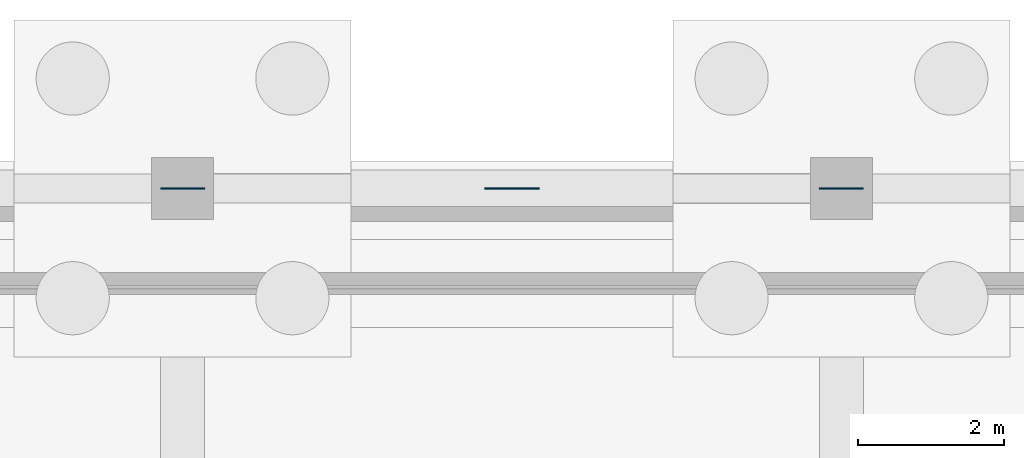
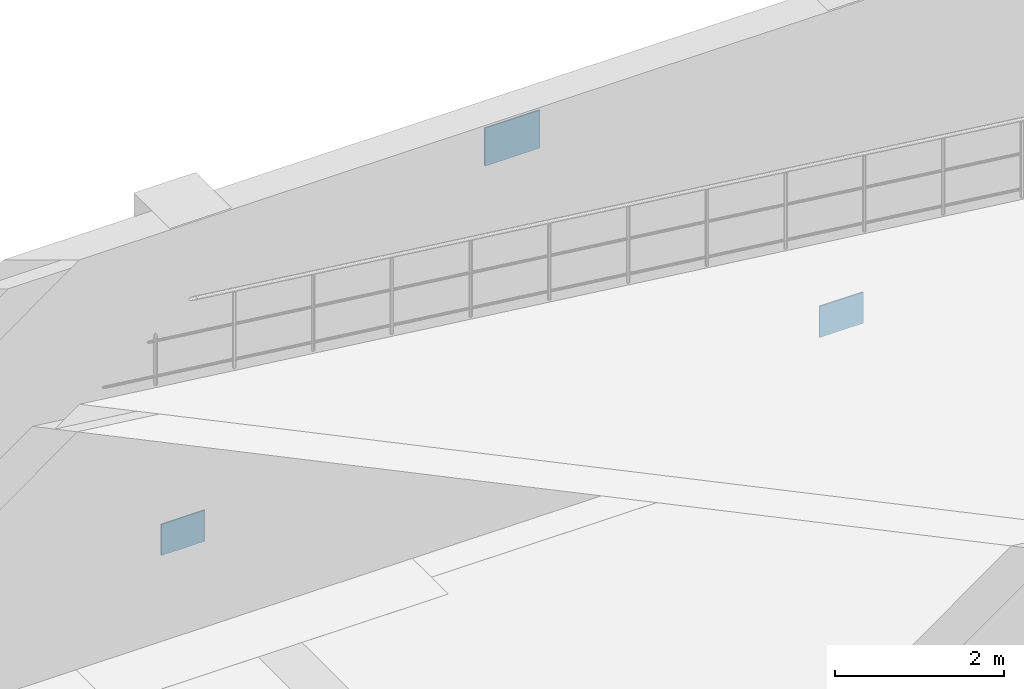
# One storey, part 38 of 62: 3 plates.
"""IFC4 building model written with IfcOpenShell, lengths in metres."""

import ifcopenshell
import ifcopenshell.guid

model = None  # the IFC model being written
_history = None  # IfcOwnerHistory: only IFC2X3 demands one
_inside = {}  # id of a spatial element -> (the spatial element, [elements in it])
_under = {}  # id of a project, library or spatial element -> (it, [spatial elements below it])
_declared = {}  # id of a project -> (the project, [libraries it declares])
_typed = {}  # id of a type object -> (the type object, [elements of that type])
_made_of = {}  # id of a material, layer set ... -> (it, [elements and type objects made of it])


def new_model(schema):
    """Start an empty IFC model of exactly this schema.

    Asked for "IFC4X3", IfcOpenShell would pick the latest addendum, in which some entities
    have other attributes; the version numbers below select the first issue.
    IFC2X3 requires an IfcOwnerHistory on every rooted entity: one is made here for all.
    """
    global model, _history
    if schema == "IFC4X3":
        model = ifcopenshell.file(schema_version=(4, 3, 0, 0))
    else:
        model = ifcopenshell.file(schema=schema)
    _inside.clear()
    _under.clear()
    _declared.clear()
    _typed.clear()
    _made_of.clear()
    _history = None
    if model.schema == "IFC2X3":
        org = make("IfcOrganization", Name="unknown")
        user = make(
            "IfcPersonAndOrganization",
            ThePerson=make("IfcPerson", FamilyName="unknown"),
            TheOrganization=org,
        )
        app = make(
            "IfcApplication",
            ApplicationDeveloper=org,
            Version="unknown",
            ApplicationFullName="unknown",
            ApplicationIdentifier="unknown",
        )
        _history = make(
            "IfcOwnerHistory",
            OwningUser=user,
            OwningApplication=app,
            ChangeAction="ADDED",
            CreationDate=0,
        )
    return model


def make(cls, **values):
    """One entity of the class cls with the attributes given. An attribute that is None is left unset."""
    return model.create_entity(
        cls, **{name: value for name, value in values.items() if value is not None}
    )


def rooted(cls, **values):
    """An entity with a GlobalId (a new one), such as an element, a storey or a relation."""
    return make(cls, GlobalId=ifcopenshell.guid.new(), OwnerHistory=_history, **values)


def si_unit(unit_type, name, prefix=None):
    """IfcSIUnit, for example si_unit("LENGTHUNIT", "METRE", prefix="MILLI")."""
    return make("IfcSIUnit", UnitType=unit_type, Prefix=prefix, Name=name)


def assignment(units):
    """IfcUnitAssignment: the units of a project."""
    return None if units is None else make("IfcUnitAssignment", Units=units)


def point(xyz):
    """IfcCartesianPoint."""
    return None if xyz is None else make("IfcCartesianPoint", Coordinates=xyz)


def direction(xyz):
    """IfcDirection."""
    return None if xyz is None else make("IfcDirection", DirectionRatios=xyz)


def frame(location, z_axis=None, x_axis=None):
    """IfcAxis2Placement3D, a coordinate frame: its origin and axes. An axis left out is left unset."""
    return make(
        "IfcAxis2Placement3D",
        Location=point(location),
        Axis=direction(z_axis),
        RefDirection=direction(x_axis),
    )


def frame_2d(location, x_axis=None):
    """IfcAxis2Placement2D, a coordinate frame in the plane: its origin and x axis."""
    return make(
        "IfcAxis2Placement2D", Location=point(location), RefDirection=direction(x_axis)
    )


def origin():
    """The frame at (0, 0, 0) with its axes left unset."""
    return frame((0.0, 0.0, 0.0))


def origin_2d():
    """The frame at (0, 0) in the plane with its x axis left unset."""
    return frame_2d((0.0, 0.0))


def place(relative_to, where):
    """IfcLocalPlacement: puts the frame where relative to a parent placement (None: the world)."""
    return make(
        "IfcLocalPlacement", PlacementRelTo=relative_to, RelativePlacement=where
    )


def context(
    kind, dimensions, precision=None, world=None, true_north=None, identifier=None
):
    """IfcGeometricRepresentationContext, for example the 3D "Model" context."""
    return make(
        "IfcGeometricRepresentationContext",
        ContextIdentifier=identifier,
        ContextType=kind,
        CoordinateSpaceDimension=dimensions,
        Precision=precision,
        WorldCoordinateSystem=world,
        TrueNorth=true_north,
    )


def subcontext(parent, identifier, kind, view, scale=None):
    """IfcGeometricRepresentationSubContext, for example "Body" below "Model"."""
    return make(
        "IfcGeometricRepresentationSubContext",
        ContextIdentifier=identifier,
        ContextType=kind,
        ParentContext=parent,
        TargetScale=scale,
        TargetView=view,
    )


def project(units=None, contexts=None):
    """IfcProject with its units and contexts."""
    return rooted(
        "IfcProject",
        Name="project",
        RepresentationContexts=contexts,
        UnitsInContext=assignment(units),
    )


def spatial(cls, under=None, at=None, **own):
    """A site, building, storey or space (cls), placed at a placement, below another one or the project."""
    s = rooted(cls, ObjectPlacement=at, **own)
    if under is not None:
        _under.setdefault(under.id(), (under, []))[1].append(s)
    return s


def profile(cls, at=None, kind="AREA", **sizes):
    """A parametric profile (cls). Its sizes go by their IFC names, for example OverallWidth=200.0."""
    return make(cls, ProfileType=kind, Position=at, **sizes)


def rectangle(**sizes):
    """IfcRectangleProfileDef."""
    return profile("IfcRectangleProfileDef", **sizes)


def extrude(swept, where, along, depth):
    """IfcExtrudedAreaSolid: the profile swept, set in the frame where, extruded along a direction by depth."""
    return make(
        "IfcExtrudedAreaSolid",
        SweptArea=swept,
        Position=where,
        ExtrudedDirection=direction(along),
        Depth=depth,
    )


def shape(context_of_items, identifier, shape_type, items):
    """IfcShapeRepresentation: the items that make up one representation, for example the "Body"."""
    return make(
        "IfcShapeRepresentation",
        ContextOfItems=context_of_items,
        RepresentationIdentifier=identifier,
        RepresentationType=shape_type,
        Items=items,
    )


def material(Name=None, Category=None):
    """IfcMaterial."""
    return make("IfcMaterial", Name=Name, Category=Category)


def layer(
    of_material, thickness, ventilated=None, Name=None, Category=None, Priority=None
):
    """IfcMaterialLayer: one layer of a wall or slab, of a material (None: an air gap)."""
    return make(
        "IfcMaterialLayer",
        Material=of_material,
        LayerThickness=thickness,
        IsVentilated=ventilated,
        Name=Name,
        Category=Category,
        Priority=Priority,
    )


def layer_set(layers, Name=None):
    """IfcMaterialLayerSet."""
    return make("IfcMaterialLayerSet", MaterialLayers=layers, LayerSetName=Name)


def made_of(thing, what):
    """Note that an element or type object is made of a material, layer set ...; save() writes the relation."""
    if what is not None:
        _made_of.setdefault(what.id(), (what, []))[1].append(thing)
    return thing


def type_object(cls, material=None, **own):
    """A type object (cls), such as IfcWallType, which elements share."""
    return made_of(rooted(cls, **own), material)


def element(
    cls,
    number,
    at=None,
    inside=None,
    cuts=None,
    type_object=None,
    material=None,
    context=None,
    identifier="Body",
    shape_type=None,
    held_by="IfcProductDefinitionShape",
    body=None,
    shapes=None,
    **own,
):
    """One element of the class cls, such as IfcWall. Its Tag is "e" and its number.

    at: its placement. inside: the storey or other place that contains it. cuts: it is an
    opening in that element (IfcRelVoidsElement). A single representation is given by context,
    identifier, shape_type and body (its items); several are given by shapes. held_by: the class
    of the entity that holds the representations. save() writes the other relations.
    """
    e = rooted(cls, Tag="e%d" % number, ObjectPlacement=at, **own)
    if body is not None:
        shapes = [shape(context, identifier, shape_type, body)]
    if shapes is not None:
        e.Representation = make(held_by, Representations=shapes)
    if inside is not None:
        _inside.setdefault(inside.id(), (inside, []))[1].append(e)
    if cuts is not None:
        rooted(
            "IfcRelVoidsElement", RelatingBuildingElement=cuts, RelatedOpeningElement=e
        )
    if type_object is not None:
        _typed.setdefault(type_object.id(), (type_object, []))[1].append(e)
    return made_of(e, material)


def aggregate(whole, parts):
    """IfcRelAggregates: a whole, such as a stair, and the parts it consists of."""
    return rooted("IfcRelAggregates", RelatingObject=whole, RelatedObjects=parts)


def save(model, path):
    """Write the relations noted so far, then the file.

    IfcRelAggregates (storeys below a building ...), IfcRelContainedInSpatialStructure (elements
    in a storey), IfcRelDefinesByType, IfcRelAssociatesMaterial and IfcRelDeclares: one each for
    every whole, place, type object, material and project.
    """
    for whole, parts in _under.values():
        aggregate(whole, parts)
    for where, things in _inside.values():
        rooted(
            "IfcRelContainedInSpatialStructure",
            RelatedElements=things,
            RelatingStructure=where,
        )
    for kind, things in _typed.values():
        rooted("IfcRelDefinesByType", RelatedObjects=things, RelatingType=kind)
    for what, things in _made_of.values():
        rooted("IfcRelAssociatesMaterial", RelatedObjects=things, RelatingMaterial=what)
    for by, libraries in _declared.values():
        rooted("IfcRelDeclares", RelatingContext=by, RelatedDefinitions=libraries)
    model.write(path)


model = new_model("IFC4")

# Units and contexts
model_context = context("Model", 3, precision=1e-05, world=origin(), true_north=direction((0.0, 1.0)))
body_context = subcontext(model_context, "Body", "Model", "MODEL_VIEW")
ifc_project = project(units=[si_unit("LENGTHUNIT", "METRE"), si_unit("AREAUNIT", "SQUARE_METRE"), si_unit("VOLUMEUNIT", "CUBIC_METRE"), si_unit("PLANEANGLEUNIT", "RADIAN"), si_unit("MASSUNIT", "GRAM", prefix="KILO")], contexts=[model_context])

# Site, building, storey
site_placement = place(None, origin())
site = spatial("IfcSite", under=ifc_project, at=site_placement, CompositionType="ELEMENT")
building_placement = place(site_placement, origin())
building = spatial("IfcBuilding", under=site, at=building_placement, Name="Miravela Opera House", CompositionType="ELEMENT")
storey_placement = place(building_placement, frame((0.0, 0.0, -5.10009765625)))
storey = spatial("IfcBuildingStorey", under=building, at=storey_placement, Name="B01", CompositionType="ELEMENT", Elevation=-5.10009765625)

# Plates
ifc_material = material(Name="Structural steel ASTM A572 Gr. 50", Category="steel")
ifc_layer_1 = layer(ifc_material, 0.01806640625)
ifc_layer_set_1 = layer_set([ifc_layer_1])
plate_type_1 = type_object("IfcPlateType", Name="STR-PL-GUS-600X450X18", PredefinedType="USERDEFINED", material=ifc_layer_set_1)
for number, where, z_axis, x_axis, name in (
    (1, (27.0, 112.0, 0.0751953125), (0.0, 0.0, 1.0), (1.0, 0.0, 0.0), "Brace Wall Cast-In Embed Plate 319"),
    (2, (36.0, 112.0, 0.0751953125), (0.0, 0.0, 1.0), (1.0, 0.0, 0.0), "Brace Wall Cast-In Embed Plate 320"),
):
    element("IfcPlate", number, at=place(storey_placement, frame(where, z_axis=z_axis, x_axis=x_axis)), inside=storey, type_object=plate_type_1, Name=name, ObjectType="GUSSET PLATE", PredefinedType="USERDEFINED", context=body_context, shape_type="SweptSolid", body=[
        extrude(rectangle(XDim=0.60009765625, YDim=0.01806640625, at=origin_2d()), origin(), (0.0, 0.0, 1.0), 0.449951171875),
    ])
ifc_layer_2 = layer(ifc_material, 0.02001953125)
ifc_layer_set_2 = layer_set([ifc_layer_2])
plate_type_2 = type_object("IfcPlateType", Name="STR-PL-GUS-750X550X20", PredefinedType="USERDEFINED", material=ifc_layer_set_2)
plate_placement = place(storey_placement, frame((31.5, 112.0, 4.1552734375), z_axis=(0.0, 0.0, 1.0), x_axis=(1.0, 0.0, 0.0)))
element("IfcPlate", 3, at=plate_placement, inside=storey, type_object=plate_type_2, Name="Chevron Brace Apex Gusset Plate 318", ObjectType="GUSSET PLATE", PredefinedType="USERDEFINED", context=body_context, shape_type="SweptSolid", body=[
    extrude(rectangle(XDim=0.75, YDim=0.02001953125, at=origin_2d()), origin(), (0.0, 0.0, 1.0), 0.550048828125),
])

save(model, "model.ifc")
